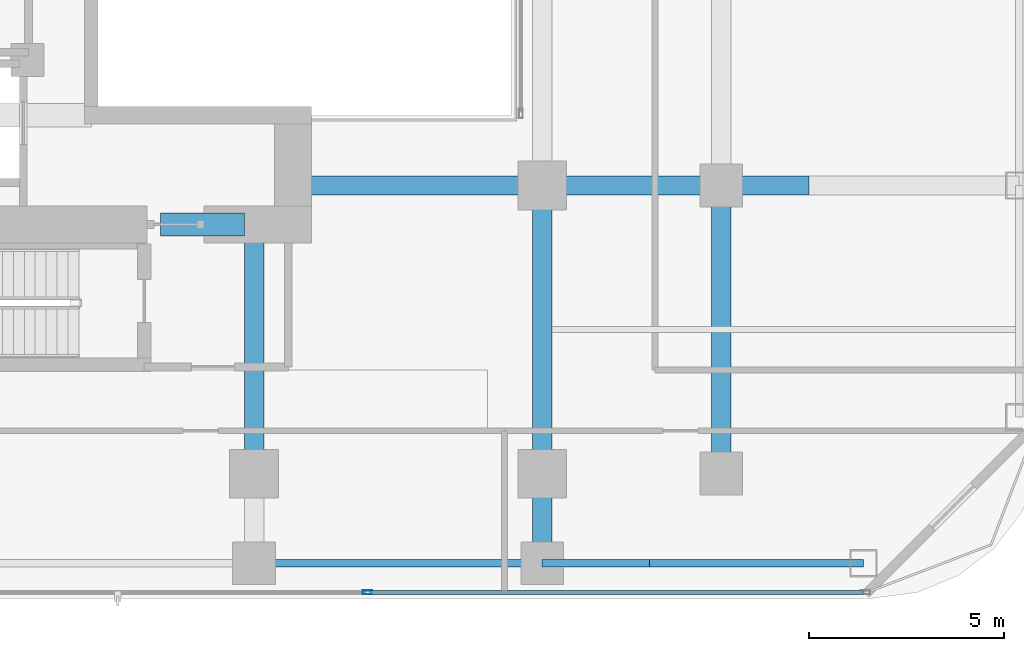
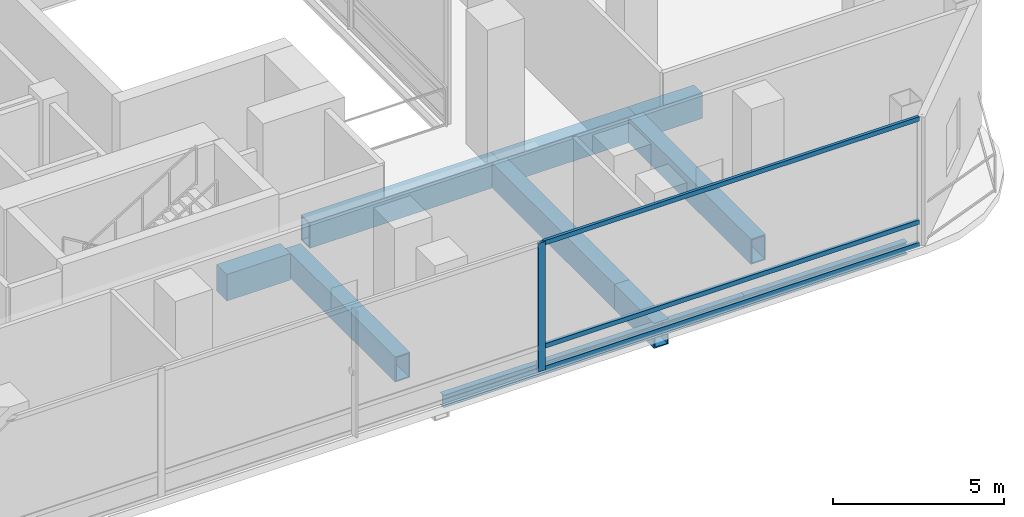
# One storey, part 8 of 28: 11 beams, 4 members, 1 element without a shape of its own.
"""IFC4 building model written with IfcOpenShell, lengths in metres."""

from ifc_helpers import new_model, si_unit, direction, frame, origin, origin_2d, place, context, subcontext, project, spatial, rectangle, hollow_rectangle, i_section, extrude, material, layer, layer_set, material_profile, profile_set, type_object, element, aggregate, save


model = new_model("IFC4")

# Units and contexts
model_context = context("Model", 3, precision=1e-05, world=origin(), true_north=direction((0.0, 1.0)))
body_context = subcontext(model_context, "Body", "Model", "MODEL_VIEW")
ifc_project = project(units=[si_unit("LENGTHUNIT", "METRE"), si_unit("AREAUNIT", "SQUARE_METRE"), si_unit("VOLUMEUNIT", "CUBIC_METRE"), si_unit("PLANEANGLEUNIT", "RADIAN"), si_unit("MASSUNIT", "GRAM", prefix="KILO")], contexts=[model_context])

# Site, building, storey
site_placement = place(None, origin())
site = spatial("IfcSite", under=ifc_project, at=site_placement, CompositionType="ELEMENT")
building_placement = place(site_placement, origin())
building = spatial("IfcBuilding", under=site, at=building_placement, Name="Khorvyn Point Tower", CompositionType="ELEMENT")
storey_placement = place(building_placement, frame((0.0, 0.0, 108.60009765625)))
storey = spatial("IfcBuildingStorey", under=building, at=storey_placement, Name="L27", CompositionType="ELEMENT", Elevation=108.60009765625)

# Curtain wall, members
ifc_material_1 = material(Name="Anodised aluminium 6063-T6 and laminated Low-E glass", Category="aluminium")
ifc_layer = layer(ifc_material_1, 0.18994140625)
ifc_layer_set = layer_set([ifc_layer], Name="Stick-Built Sky-Lobby Curtain Wall CW-SYS-05")
curtain_wall_type = type_object("IfcCurtainWallType", Name="Stick-Built Sky-Lobby Curtain Wall CW-SYS-05", PredefinedType="NOTDEFINED", material=ifc_layer_set)
curtain_wall_placement = place(storey_placement, origin())
curtain_wall = element("IfcCurtainWall", 1, at=curtain_wall_placement, inside=storey, type_object=curtain_wall_type, Name="Curtain Wall", PredefinedType="NOTDEFINED")
ifc_material_2 = material(Name="Anodised aluminium 6063-T6", Category="aluminium")
ifc_material_profile_1 = material_profile(ifc_material_2, hollow_rectangle(XDim=0.10009765625, YDim=0.239990234375, WallThickness=0.0048828125, at=origin_2d()))
ifc_profile_set_1 = profile_set([ifc_material_profile_1], Name="Anodised aluminium 6063-T6 ALU-MUL-100x240")
member_type_1 = type_object("IfcMemberType", Name="Anodised Aluminium 6063-T6 Mullion ALU-MUL-100x240", PredefinedType="MULLION", material=ifc_profile_set_1)
member_1_placement = place(storey_placement, frame((10.316650390625, -17.85009765625, 0.0), z_axis=(0.0, 0.0, 1.0), x_axis=(0.0, -1.0, 0.0)))
member_1 = element("IfcMember", 2, at=member_1_placement, type_object=member_type_1, Name="Transom", PredefinedType="MULLION", context=body_context, shape_type="SweptSolid", body=[
    extrude(hollow_rectangle(XDim=0.10009765625, YDim=0.239990234375, WallThickness=0.0048828125, at=origin_2d()), origin(), (0.0, 0.0, 1.0), 4.579833984375),
])
ifc_material_profile_2 = material_profile(ifc_material_2, hollow_rectangle(XDim=0.10009765625, YDim=0.159912109375, WallThickness=0.00439453125, at=origin_2d()))
ifc_profile_set_2 = profile_set([ifc_material_profile_2], Name="Anodised aluminium 6063-T6 ALU-TRN-100x160")
member_type_2 = type_object("IfcMemberType", Name="Anodised Aluminium 6063-T6 Transom ALU-TRN-100x160", PredefinedType="USERDEFINED", material=ifc_profile_set_2)
member_2_placement = place(storey_placement, frame((23.050048828125, -17.85009765625, 0.0498046875), z_axis=(-1.0, 0.0, 0.0), x_axis=(0.0, -1.0, 0.0)))
member_2 = element("IfcMember", 3, at=member_2_placement, type_object=member_type_2, Name="Transom", ObjectType="TRANSOM", PredefinedType="USERDEFINED", context=body_context, shape_type="SweptSolid", body=[
    extrude(hollow_rectangle(XDim=0.10009765625, YDim=0.159912109375, WallThickness=0.00439453125, at=origin_2d()), origin(), (0.0, 0.0, 1.0), 12.683349609375),
])
member_3_placement = place(storey_placement, frame((23.050048828125, -17.85009765625, 0.849853515625), z_axis=(-1.0, 0.0, 0.0), x_axis=(0.0, -1.0, 0.0)))
member_3 = element("IfcMember", 4, at=member_3_placement, type_object=member_type_2, Name="Transom", ObjectType="TRANSOM", PredefinedType="USERDEFINED", context=body_context, shape_type="SweptSolid", body=[
    extrude(hollow_rectangle(XDim=0.10009765625, YDim=0.159912109375, WallThickness=0.00439453125, at=origin_2d()), origin(), (0.0, 0.0, 1.0), 12.683349609375),
])
member_4_placement = place(storey_placement, frame((23.050048828125, -17.85009765625, 4.52978515625), z_axis=(-1.0, 0.0, 0.0), x_axis=(0.0, -1.0, 0.0)))
member_4 = element("IfcMember", 5, at=member_4_placement, type_object=member_type_2, Name="Transom", ObjectType="TRANSOM", PredefinedType="USERDEFINED", context=body_context, shape_type="SweptSolid", body=[
    extrude(hollow_rectangle(XDim=0.10009765625, YDim=0.159912109375, WallThickness=0.00439453125, at=origin_2d()), origin(), (0.0, 0.0, 1.0), 12.683349609375),
])
aggregate(curtain_wall, [member_1, member_2, member_3, member_4])

# Beams
ifc_material_3 = material(Name="Concrete C50/60", Category="concrete")
ifc_material_profile_3 = material_profile(ifc_material_3, rectangle(XDim=0.60009765625, YDim=0.949951171875, at=origin_2d()))
ifc_profile_set_3 = profile_set([ifc_material_profile_3], Name="Concrete C50/60 RC600x950")
beam_type_1 = type_object("IfcBeamType", Name="Concrete C50/60 Beam RC600x950", PredefinedType="BEAM", material=ifc_profile_set_3)
beam_1_placement = place(storey_placement, frame((5.0, -8.39990234375, -0.755126953125), z_axis=(1.0, 0.0, 0.0), x_axis=(0.0, 1.0, 0.0)))
element("IfcBeam", 6, at=beam_1_placement, inside=storey, type_object=beam_type_1, Name="L27 Core Southeast Portal Coupling Beam", PredefinedType="BEAM", context=body_context, shape_type="SweptSolid", body=[
    extrude(rectangle(XDim=0.60009765625, YDim=0.949951171875, at=origin_2d()), origin(), (0.0, 0.0, 1.0), 2.14990234375),
])
ifc_material_4 = material(Name="Steel S355", Category="steel")
ifc_material_profile_4 = material_profile(ifc_material_4, i_section(OverallWidth=0.199951171875, OverallDepth=0.449951171875, WebThickness=0.009033203125, FlangeThickness=0.013916015625, at=origin_2d()))
ifc_profile_set_4 = profile_set([ifc_material_profile_4], Name="Steel S355 H450x200x9x14")
beam_type_2 = type_object("IfcBeamType", Name="Steel S355 Spandrel H450x200x9x14", PredefinedType="SPANDREL", material=ifc_profile_set_4)
beam_2_placement = place(storey_placement, frame((7.39990234375, -17.10009765625, -0.505126953125), z_axis=(1.0, 0.0, 0.0), x_axis=(0.0, 1.0, 0.0)))
element("IfcBeam", 7, at=beam_2_placement, inside=storey, type_object=beam_type_2, Name="Beam", PredefinedType="SPANDREL", context=body_context, shape_type="SweptSolid", body=[
    extrude(i_section(OverallWidth=0.199951171875, OverallDepth=0.449951171875, WebThickness=0.009033203125, FlangeThickness=0.013916015625, at=origin_2d()), origin(), (0.0, 0.0, 1.0), 7.400146484375),
])
beam_3_placement = place(storey_placement, frame((14.800048828125, -17.10009765625, -0.505126953125), z_axis=(1.0, 0.0, 0.0), x_axis=(0.0, 1.0, 0.0)))
element("IfcBeam", 8, at=beam_3_placement, inside=storey, type_object=beam_type_2, Name="Beam", PredefinedType="SPANDREL", context=body_context, shape_type="SweptSolid", body=[
    extrude(i_section(OverallWidth=0.199951171875, OverallDepth=0.449951171875, WebThickness=0.009033203125, FlangeThickness=0.013916015625, at=origin_2d()), origin(), (0.0, 0.0, 1.0), 2.75),
])
beam_4_placement = place(storey_placement, frame((17.550048828125, -17.10009765625, -0.505126953125), z_axis=(1.0, 0.0, 0.0), x_axis=(0.0, 1.0, 0.0)))
element("IfcBeam", 9, at=beam_4_placement, inside=storey, type_object=beam_type_2, Name="Beam", PredefinedType="SPANDREL", context=body_context, shape_type="SweptSolid", body=[
    extrude(i_section(OverallWidth=0.199951171875, OverallDepth=0.449951171875, WebThickness=0.009033203125, FlangeThickness=0.013916015625, at=origin_2d()), origin(), (0.0, 0.0, 1.0), 5.5),
])
ifc_material_5 = material(Name="Steel S450", Category="steel")
ifc_material_profile_5 = material_profile(ifc_material_5, hollow_rectangle(XDim=0.5, YDim=0.89990234375, WallThickness=0.0400390625, at=origin_2d()))
ifc_profile_set_5 = profile_set([ifc_material_profile_5], Name="Steel S450 BOX900x500x40")
beam_type_3 = type_object("IfcBeamType", Name="Steel S450 Beam BOX900x500x40", PredefinedType="BEAM", material=ifc_profile_set_5)
beam_5_placement = place(storey_placement, frame((8.39990234375, -7.39990234375, -0.72998046875), z_axis=(1.0, 0.0, 0.0), x_axis=(0.0, 1.0, 0.0)))
element("IfcBeam", 10, at=beam_5_placement, inside=storey, type_object=beam_type_3, Name="Beam", PredefinedType="BEAM", context=body_context, shape_type="SweptSolid", body=[
    extrude(hollow_rectangle(XDim=0.5, YDim=0.89990234375, WallThickness=0.0400390625, at=origin_2d()), origin(), (0.0, 0.0, 1.0), 6.400146484375),
])
beam_6_placement = place(storey_placement, frame((14.800048828125, -7.39990234375, -0.72998046875), z_axis=(1.0, 0.0, 0.0), x_axis=(0.0, 1.0, 0.0)))
element("IfcBeam", 11, at=beam_6_placement, inside=storey, type_object=beam_type_3, Name="Beam", PredefinedType="BEAM", context=body_context, shape_type="SweptSolid", body=[
    extrude(hollow_rectangle(XDim=0.5, YDim=0.89990234375, WallThickness=0.0400390625, at=origin_2d()), origin(), (0.0, 0.0, 1.0), 4.599853515625),
])
beam_7_placement = place(storey_placement, frame((19.39990234375, -7.39990234375, -0.72998046875), z_axis=(1.0, 0.0, 0.0), x_axis=(0.0, 1.0, 0.0)))
element("IfcBeam", 12, at=beam_7_placement, inside=storey, type_object=beam_type_3, Name="Beam", PredefinedType="BEAM", context=body_context, shape_type="SweptSolid", body=[
    extrude(hollow_rectangle(XDim=0.5, YDim=0.89990234375, WallThickness=0.0400390625, at=origin_2d()), origin(), (0.0, 0.0, 1.0), 2.25),
])
beam_8_placement = place(storey_placement, frame((14.800048828125, -17.10009765625, -0.72998046875), z_axis=(0.0, 1.0, 0.0), x_axis=(-1.0, 0.0, 0.0)))
element("IfcBeam", 13, at=beam_8_placement, inside=storey, type_object=beam_type_3, Name="L27 Radial Transfer Girder", PredefinedType="BEAM", context=body_context, shape_type="SweptSolid", body=[
    extrude(hollow_rectangle(XDim=0.5, YDim=0.89990234375, WallThickness=0.0400390625, at=origin_2d()), origin(), (0.0, 0.0, 1.0), 2.300048828125),
])
beam_9_placement = place(storey_placement, frame((14.800048828125, -14.800048828125, -0.72998046875), z_axis=(0.0, 1.0, 0.0), x_axis=(-1.0, 0.0, 0.0)))
element("IfcBeam", 14, at=beam_9_placement, inside=storey, type_object=beam_type_3, Name="L27 Radial Transfer Girder", PredefinedType="BEAM", context=body_context, shape_type="SweptSolid", body=[
    extrude(hollow_rectangle(XDim=0.5, YDim=0.89990234375, WallThickness=0.0400390625, at=origin_2d()), origin(), (0.0, 0.0, 1.0), 7.400146484375),
])
beam_10_placement = place(storey_placement, frame((7.39990234375, -14.800048828125, -0.72998046875), z_axis=(0.0, 1.0, 0.0), x_axis=(-1.0, 0.0, 0.0)))
element("IfcBeam", 15, at=beam_10_placement, inside=storey, type_object=beam_type_3, Name="Beam", PredefinedType="BEAM", context=body_context, shape_type="SweptSolid", body=[
    extrude(hollow_rectangle(XDim=0.5, YDim=0.89990234375, WallThickness=0.0400390625, at=origin_2d()), origin(), (0.0, 0.0, 1.0), 6.400146484375),
])
beam_11_placement = place(storey_placement, frame((19.39990234375, -14.800048828125, -0.72998046875), z_axis=(0.0, 1.0, 0.0), x_axis=(-1.0, 0.0, 0.0)))
element("IfcBeam", 16, at=beam_11_placement, inside=storey, type_object=beam_type_3, Name="Beam", PredefinedType="BEAM", context=body_context, shape_type="SweptSolid", body=[
    extrude(hollow_rectangle(XDim=0.5, YDim=0.89990234375, WallThickness=0.0400390625, at=origin_2d()), origin(), (0.0, 0.0, 1.0), 7.400146484375),
])

save(model, "model.ifc")
